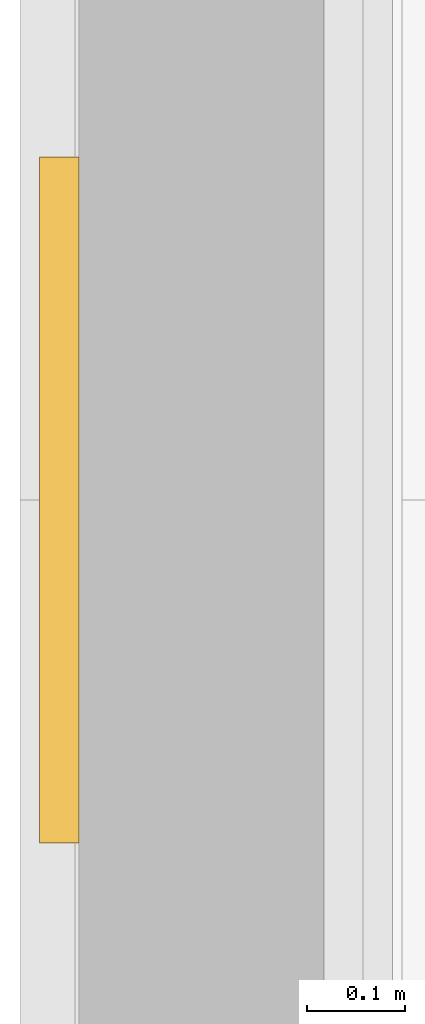
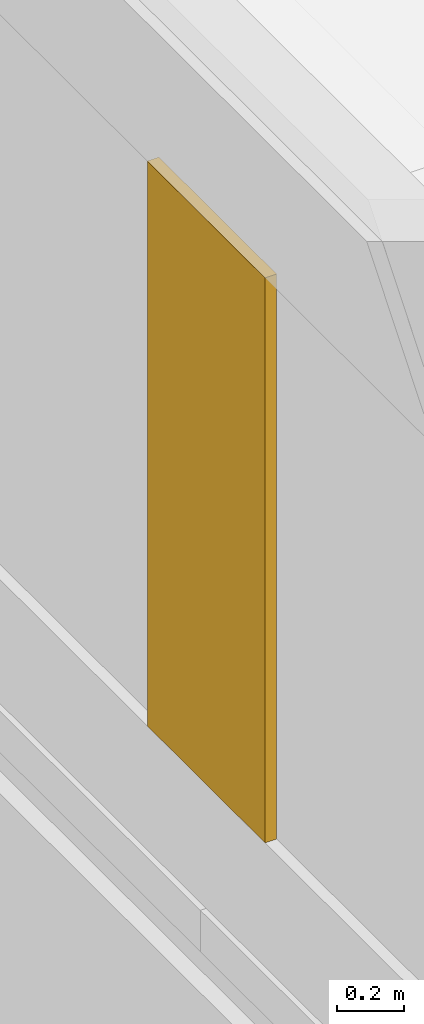
# One storey, part 76 of 95: 1 covering.
"""IFC4 building model written with IfcOpenShell, lengths in metres."""

from ifc_helpers import new_model, si_unit, direction, frame, origin, origin_2d, place, context, subcontext, project, spatial, rectangle, extrude, material, layer, layer_set, type_object, element, save


model = new_model("IFC4")

# Units and contexts
model_context = context("Model", 3, precision=1e-05, world=origin(), true_north=direction((0.0, 1.0)))
body_context = subcontext(model_context, "Body", "Model", "MODEL_VIEW")
ifc_project = project(units=[si_unit("LENGTHUNIT", "METRE"), si_unit("AREAUNIT", "SQUARE_METRE"), si_unit("VOLUMEUNIT", "CUBIC_METRE"), si_unit("PLANEANGLEUNIT", "RADIAN"), si_unit("MASSUNIT", "GRAM", prefix="KILO")], contexts=[model_context])

# Site, building, storey
site_placement = place(None, origin())
site = spatial("IfcSite", under=ifc_project, at=site_placement, CompositionType="ELEMENT")
building_placement = place(site_placement, origin())
building = spatial("IfcBuilding", under=site, at=building_placement, Name="Saffron Lane Theatres", CompositionType="ELEMENT")
storey_placement = place(building_placement, origin())
storey = spatial("IfcBuildingStorey", under=building, at=storey_placement, Name="L00", CompositionType="ELEMENT", Elevation=0.0)

# Covering
ifc_material = material(Name="Face brick cladding, pale buff", Category="masonry")
ifc_layer = layer(ifc_material, 0.0400390625)
ifc_layer_set = layer_set([ifc_layer], Name="Face brick cladding, pale buff")
covering_type = type_object("IfcCoveringType", Name="EX-FACE BRICK SKIN PALE BUFF 40", PredefinedType="CLADDING", material=ifc_layer_set)
covering_placement = place(storey_placement, frame((0.0400390625, 66.0, 0.4501953125), z_axis=(0.0, 0.0, 1.0), x_axis=(0.0, 1.0, 0.0)))
element("IfcCovering", 1, at=covering_placement, inside=storey, type_object=covering_type, Name="Face brick cladding, pale buff L00", PredefinedType="CLADDING", context=body_context, shape_type="SweptSolid", body=[
    extrude(rectangle(XDim=0.699951171875, YDim=0.0400390625, at=origin_2d()), origin(), (0.0, 0.0, 1.0), 2.050048828125),
])

save(model, "model.ifc")
